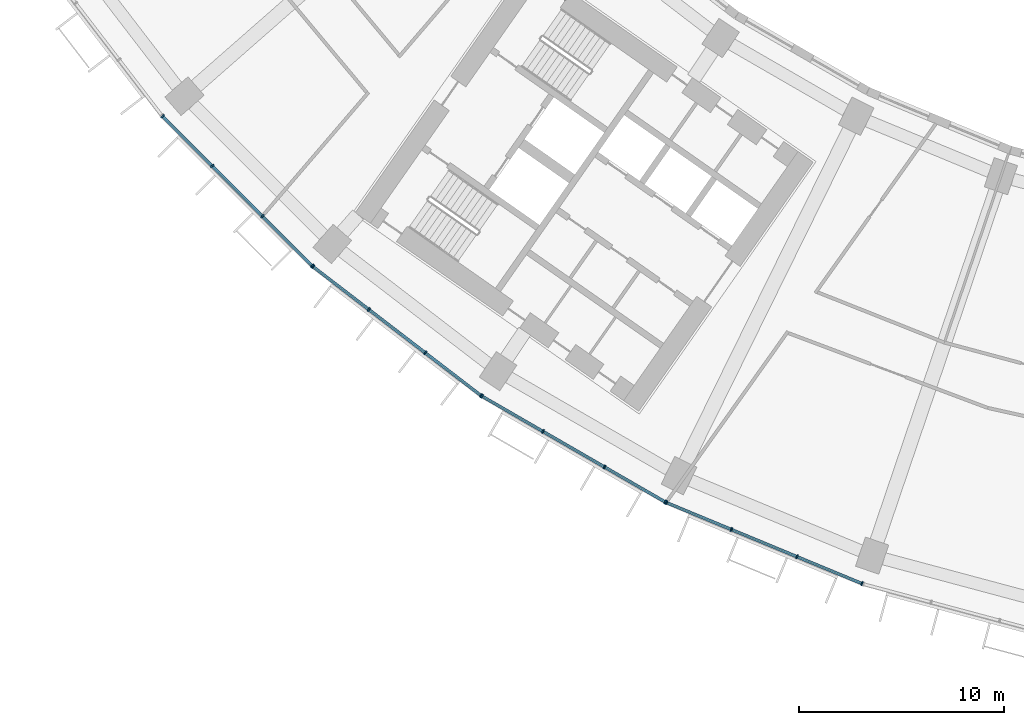
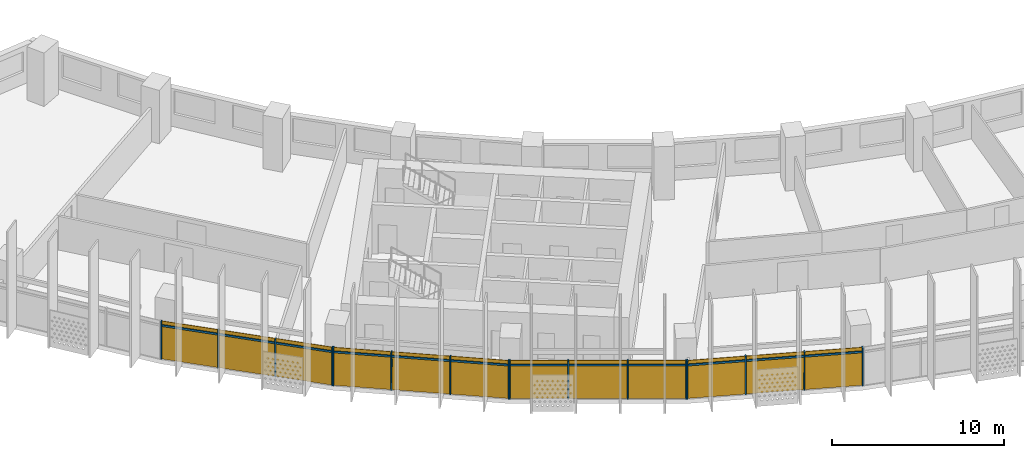
# One storey, part 18 of 30: 28 members, 4 curtain walls.
"""IFC4 building model written with IfcOpenShell, lengths in metres."""

import ifcopenshell
import ifcopenshell.guid

model = None  # the IFC model being written
_history = None  # IfcOwnerHistory: only IFC2X3 demands one
_inside = {}  # id of a spatial element -> (the spatial element, [elements in it])
_under = {}  # id of a project, library or spatial element -> (it, [spatial elements below it])
_declared = {}  # id of a project -> (the project, [libraries it declares])
_typed = {}  # id of a type object -> (the type object, [elements of that type])
_made_of = {}  # id of a material, layer set ... -> (it, [elements and type objects made of it])


def new_model(schema):
    """Start an empty IFC model of exactly this schema.

    Asked for "IFC4X3", IfcOpenShell would pick the latest addendum, in which some entities
    have other attributes; the version numbers below select the first issue.
    IFC2X3 requires an IfcOwnerHistory on every rooted entity: one is made here for all.
    """
    global model, _history
    if schema == "IFC4X3":
        model = ifcopenshell.file(schema_version=(4, 3, 0, 0))
    else:
        model = ifcopenshell.file(schema=schema)
    _inside.clear()
    _under.clear()
    _declared.clear()
    _typed.clear()
    _made_of.clear()
    _history = None
    if model.schema == "IFC2X3":
        org = make("IfcOrganization", Name="unknown")
        user = make(
            "IfcPersonAndOrganization",
            ThePerson=make("IfcPerson", FamilyName="unknown"),
            TheOrganization=org,
        )
        app = make(
            "IfcApplication",
            ApplicationDeveloper=org,
            Version="unknown",
            ApplicationFullName="unknown",
            ApplicationIdentifier="unknown",
        )
        _history = make(
            "IfcOwnerHistory",
            OwningUser=user,
            OwningApplication=app,
            ChangeAction="ADDED",
            CreationDate=0,
        )
    return model


def make(cls, **values):
    """One entity of the class cls with the attributes given. An attribute that is None is left unset."""
    return model.create_entity(
        cls, **{name: value for name, value in values.items() if value is not None}
    )


def rooted(cls, **values):
    """An entity with a GlobalId (a new one), such as an element, a storey or a relation."""
    return make(cls, GlobalId=ifcopenshell.guid.new(), OwnerHistory=_history, **values)


def si_unit(unit_type, name, prefix=None):
    """IfcSIUnit, for example si_unit("LENGTHUNIT", "METRE", prefix="MILLI")."""
    return make("IfcSIUnit", UnitType=unit_type, Prefix=prefix, Name=name)


def assignment(units):
    """IfcUnitAssignment: the units of a project."""
    return None if units is None else make("IfcUnitAssignment", Units=units)


def point(xyz):
    """IfcCartesianPoint."""
    return None if xyz is None else make("IfcCartesianPoint", Coordinates=xyz)


def direction(xyz):
    """IfcDirection."""
    return None if xyz is None else make("IfcDirection", DirectionRatios=xyz)


def frame(location, z_axis=None, x_axis=None):
    """IfcAxis2Placement3D, a coordinate frame: its origin and axes. An axis left out is left unset."""
    return make(
        "IfcAxis2Placement3D",
        Location=point(location),
        Axis=direction(z_axis),
        RefDirection=direction(x_axis),
    )


def frame_2d(location, x_axis=None):
    """IfcAxis2Placement2D, a coordinate frame in the plane: its origin and x axis."""
    return make(
        "IfcAxis2Placement2D", Location=point(location), RefDirection=direction(x_axis)
    )


def origin():
    """The frame at (0, 0, 0) with its axes left unset."""
    return frame((0.0, 0.0, 0.0))


def origin_2d():
    """The frame at (0, 0) in the plane with its x axis left unset."""
    return frame_2d((0.0, 0.0))


def place(relative_to, where):
    """IfcLocalPlacement: puts the frame where relative to a parent placement (None: the world)."""
    return make(
        "IfcLocalPlacement", PlacementRelTo=relative_to, RelativePlacement=where
    )


def context(
    kind, dimensions, precision=None, world=None, true_north=None, identifier=None
):
    """IfcGeometricRepresentationContext, for example the 3D "Model" context."""
    return make(
        "IfcGeometricRepresentationContext",
        ContextIdentifier=identifier,
        ContextType=kind,
        CoordinateSpaceDimension=dimensions,
        Precision=precision,
        WorldCoordinateSystem=world,
        TrueNorth=true_north,
    )


def subcontext(parent, identifier, kind, view, scale=None):
    """IfcGeometricRepresentationSubContext, for example "Body" below "Model"."""
    return make(
        "IfcGeometricRepresentationSubContext",
        ContextIdentifier=identifier,
        ContextType=kind,
        ParentContext=parent,
        TargetScale=scale,
        TargetView=view,
    )


def project(units=None, contexts=None):
    """IfcProject with its units and contexts."""
    return rooted(
        "IfcProject",
        Name="project",
        RepresentationContexts=contexts,
        UnitsInContext=assignment(units),
    )


def spatial(cls, under=None, at=None, **own):
    """A site, building, storey or space (cls), placed at a placement, below another one or the project."""
    s = rooted(cls, ObjectPlacement=at, **own)
    if under is not None:
        _under.setdefault(under.id(), (under, []))[1].append(s)
    return s


def profile(cls, at=None, kind="AREA", **sizes):
    """A parametric profile (cls). Its sizes go by their IFC names, for example OverallWidth=200.0."""
    return make(cls, ProfileType=kind, Position=at, **sizes)


def rectangle(**sizes):
    """IfcRectangleProfileDef."""
    return profile("IfcRectangleProfileDef", **sizes)


def extrude(swept, where, along, depth):
    """IfcExtrudedAreaSolid: the profile swept, set in the frame where, extruded along a direction by depth."""
    return make(
        "IfcExtrudedAreaSolid",
        SweptArea=swept,
        Position=where,
        ExtrudedDirection=direction(along),
        Depth=depth,
    )


def shape(context_of_items, identifier, shape_type, items):
    """IfcShapeRepresentation: the items that make up one representation, for example the "Body"."""
    return make(
        "IfcShapeRepresentation",
        ContextOfItems=context_of_items,
        RepresentationIdentifier=identifier,
        RepresentationType=shape_type,
        Items=items,
    )


def material(Name=None, Category=None):
    """IfcMaterial."""
    return make("IfcMaterial", Name=Name, Category=Category)


def material_profile(
    of_material, cross_section, Name=None, Category=None, Priority=None
):
    """IfcMaterialProfile: a cross section and its material."""
    return make(
        "IfcMaterialProfile",
        Name=Name,
        Material=of_material,
        Profile=cross_section,
        Priority=Priority,
        Category=Category,
    )


def profile_set(profiles, Name=None, composite=None):
    """IfcMaterialProfileSet."""
    return make(
        "IfcMaterialProfileSet",
        Name=Name,
        MaterialProfiles=profiles,
        CompositeProfile=composite,
    )


def made_of(thing, what):
    """Note that an element or type object is made of a material, layer set ...; save() writes the relation."""
    if what is not None:
        _made_of.setdefault(what.id(), (what, []))[1].append(thing)
    return thing


def type_object(cls, material=None, **own):
    """A type object (cls), such as IfcWallType, which elements share."""
    return made_of(rooted(cls, **own), material)


def element(
    cls,
    number,
    at=None,
    inside=None,
    cuts=None,
    type_object=None,
    material=None,
    context=None,
    identifier="Body",
    shape_type=None,
    held_by="IfcProductDefinitionShape",
    body=None,
    shapes=None,
    **own,
):
    """One element of the class cls, such as IfcWall. Its Tag is "e" and its number.

    at: its placement. inside: the storey or other place that contains it. cuts: it is an
    opening in that element (IfcRelVoidsElement). A single representation is given by context,
    identifier, shape_type and body (its items); several are given by shapes. held_by: the class
    of the entity that holds the representations. save() writes the other relations.
    """
    e = rooted(cls, Tag="e%d" % number, ObjectPlacement=at, **own)
    if body is not None:
        shapes = [shape(context, identifier, shape_type, body)]
    if shapes is not None:
        e.Representation = make(held_by, Representations=shapes)
    if inside is not None:
        _inside.setdefault(inside.id(), (inside, []))[1].append(e)
    if cuts is not None:
        rooted(
            "IfcRelVoidsElement", RelatingBuildingElement=cuts, RelatedOpeningElement=e
        )
    if type_object is not None:
        _typed.setdefault(type_object.id(), (type_object, []))[1].append(e)
    return made_of(e, material)


def aggregate(whole, parts):
    """IfcRelAggregates: a whole, such as a stair, and the parts it consists of."""
    return rooted("IfcRelAggregates", RelatingObject=whole, RelatedObjects=parts)


def save(model, path):
    """Write the relations noted so far, then the file.

    IfcRelAggregates (storeys below a building ...), IfcRelContainedInSpatialStructure (elements
    in a storey), IfcRelDefinesByType, IfcRelAssociatesMaterial and IfcRelDeclares: one each for
    every whole, place, type object, material and project.
    """
    for whole, parts in _under.values():
        aggregate(whole, parts)
    for where, things in _inside.values():
        rooted(
            "IfcRelContainedInSpatialStructure",
            RelatedElements=things,
            RelatingStructure=where,
        )
    for kind, things in _typed.values():
        rooted("IfcRelDefinesByType", RelatedObjects=things, RelatingType=kind)
    for what, things in _made_of.values():
        rooted("IfcRelAssociatesMaterial", RelatedObjects=things, RelatingMaterial=what)
    for by, libraries in _declared.values():
        rooted("IfcRelDeclares", RelatingContext=by, RelatedDefinitions=libraries)
    model.write(path)


model = new_model("IFC4")

# Units and contexts
model_context = context("Model", 3, precision=1e-05, world=origin(), true_north=direction((0.0, 1.0)))
body_context = subcontext(model_context, "Body", "Model", "MODEL_VIEW")
ifc_project = project(units=[si_unit("LENGTHUNIT", "METRE"), si_unit("AREAUNIT", "SQUARE_METRE"), si_unit("VOLUMEUNIT", "CUBIC_METRE"), si_unit("PLANEANGLEUNIT", "RADIAN"), si_unit("MASSUNIT", "GRAM", prefix="KILO")], contexts=[model_context])

# Member
ifc_material = material(Name="Aluminium 6063-T6 anodised", Category="aluminium")
ifc_material_profile_1 = material_profile(ifc_material, rectangle(XDim=0.199951171875, YDim=0.070068359375, at=origin_2d()))
ifc_profile_set_1 = profile_set([ifc_material_profile_1], Name="Aluminium 6063-T6 anodised")
member_type_1 = type_object("IfcMemberType", Name="Mullion 70 x 200 aluminium", PredefinedType="MULLION", material=ifc_profile_set_1)
site_placement = place(None, origin())
building_placement = place(site_placement, origin())
storey_placement = place(building_placement, frame((0.0, 0.0, 110.10009765625)))
member_1_placement = place(storey_placement, frame((-59.525390625, -52.240234375, 0.0), z_axis=(0.0, 0.0, 1.0), x_axis=(0.707106781187, 0.707106781187, 0.0)))
member_1 = element("IfcMember", 1, at=member_1_placement, type_object=member_type_1, Name="e-cw1-L24-out03/M00", PredefinedType="MULLION", context=body_context, shape_type="SweptSolid", body=[
    extrude(rectangle(XDim=0.199951171875, YDim=0.070068359375, at=origin_2d()), origin(), (0.0, 0.0, 1.0), 2.699951171875),
])

member_2_placement = place(storey_placement, frame((-57.105224609375, -54.660400390625, 0.0), z_axis=(0.0, 0.0, 1.0), x_axis=(0.707106781187, 0.707106781187, 0.0)))
member_2 = element("IfcMember", 2, at=member_2_placement, type_object=member_type_1, Name="e-cw1-L24-out03/M01", PredefinedType="MULLION", context=body_context, shape_type="SweptSolid", body=[
    extrude(rectangle(XDim=0.199951171875, YDim=0.070068359375, at=origin_2d()), origin(), (0.0, 0.0, 1.0), 2.699951171875),
])

member_3_placement = place(storey_placement, frame((-54.660400390625, -57.105224609375, 0.0), z_axis=(0.0, 0.0, 1.0), x_axis=(0.707106781187, 0.707106781187, 0.0)))
member_3 = element("IfcMember", 3, at=member_3_placement, type_object=member_type_1, Name="e-cw1-L24-out03/M02", PredefinedType="MULLION", context=body_context, shape_type="SweptSolid", body=[
    extrude(rectangle(XDim=0.199951171875, YDim=0.070068359375, at=origin_2d()), origin(), (0.0, 0.0, 1.0), 2.699951171875),
])

member_4_placement = place(storey_placement, frame((-52.240234375, -59.525390625, 0.0), z_axis=(0.0, 0.0, 1.0), x_axis=(0.707106781187, 0.707106781187, 0.0)))
member_4 = element("IfcMember", 4, at=member_4_placement, type_object=member_type_1, Name="e-cw1-L24-out03/M03", PredefinedType="MULLION", context=body_context, shape_type="SweptSolid", body=[
    extrude(rectangle(XDim=0.199951171875, YDim=0.070068359375, at=origin_2d()), origin(), (0.0, 0.0, 1.0), 2.699951171875),
])

member_5_placement = place(storey_placement, frame((-52.197509765625, -59.56298828125, 0.0), z_axis=(0.0, 0.0, 1.0), x_axis=(0.608761429009, 0.793353340291, 0.0)))
member_5 = element("IfcMember", 5, at=member_5_placement, type_object=member_type_1, Name="e-cw1-L24-out04/M00", PredefinedType="MULLION", context=body_context, shape_type="SweptSolid", body=[
    extrude(rectangle(XDim=0.199951171875, YDim=0.070068359375, at=origin_2d()), origin(), (0.0, 0.0, 1.0), 2.699951171875),
])

member_6_placement = place(storey_placement, frame((-49.482177734375, -61.646484375, 0.0), z_axis=(0.0, 0.0, 1.0), x_axis=(0.608761429009, 0.793353340291, 0.0)))
member_6 = element("IfcMember", 6, at=member_6_placement, type_object=member_type_1, Name="e-cw1-L24-out04/M01", PredefinedType="MULLION", context=body_context, shape_type="SweptSolid", body=[
    extrude(rectangle(XDim=0.199951171875, YDim=0.070068359375, at=origin_2d()), origin(), (0.0, 0.0, 1.0), 2.699951171875),
])

member_7_placement = place(storey_placement, frame((-46.739013671875, -63.751220703125, 0.0), z_axis=(0.0, 0.0, 1.0), x_axis=(0.608761429009, 0.793353340291, 0.0)))
member_7 = element("IfcMember", 7, at=member_7_placement, type_object=member_type_1, Name="e-cw1-L24-out04/M02", PredefinedType="MULLION", context=body_context, shape_type="SweptSolid", body=[
    extrude(rectangle(XDim=0.199951171875, YDim=0.070068359375, at=origin_2d()), origin(), (0.0, 0.0, 1.0), 2.699951171875),
])

member_8_placement = place(storey_placement, frame((-44.023681640625, -65.8349609375, 0.0), z_axis=(0.0, 0.0, 1.0), x_axis=(0.608761429009, 0.793353340291, 0.0)))
member_8 = element("IfcMember", 8, at=member_8_placement, type_object=member_type_1, Name="e-cw1-L24-out04/M03", PredefinedType="MULLION", context=body_context, shape_type="SweptSolid", body=[
    extrude(rectangle(XDim=0.199951171875, YDim=0.070068359375, at=origin_2d()), origin(), (0.0, 0.0, 1.0), 2.699951171875),
])

member_9_placement = place(storey_placement, frame((-43.976318359375, -65.866455078125, 0.0), z_axis=(0.0, 0.0, 1.0), x_axis=(0.5, 0.866025403784, 0.0)))
member_9 = element("IfcMember", 9, at=member_9_placement, type_object=member_type_1, Name="e-cw1-L24-out05/M00", PredefinedType="MULLION", context=body_context, shape_type="SweptSolid", body=[
    extrude(rectangle(XDim=0.199951171875, YDim=0.070068359375, at=origin_2d()), origin(), (0.0, 0.0, 1.0), 2.699951171875),
])

member_10_placement = place(storey_placement, frame((-41.01220703125, -67.577880859375, 0.0), z_axis=(0.0, 0.0, 1.0), x_axis=(0.5, 0.866025403784, 0.0)))
member_10 = element("IfcMember", 10, at=member_10_placement, type_object=member_type_1, Name="e-cw1-L24-out05/M01", PredefinedType="MULLION", context=body_context, shape_type="SweptSolid", body=[
    extrude(rectangle(XDim=0.199951171875, YDim=0.070068359375, at=origin_2d()), origin(), (0.0, 0.0, 1.0), 2.699951171875),
])

member_11_placement = place(storey_placement, frame((-38.017822265625, -69.306640625, 0.0), z_axis=(0.0, 0.0, 1.0), x_axis=(0.5, 0.866025403784, 0.0)))
member_11 = element("IfcMember", 11, at=member_11_placement, type_object=member_type_1, Name="e-cw1-L24-out05/M02", PredefinedType="MULLION", context=body_context, shape_type="SweptSolid", body=[
    extrude(rectangle(XDim=0.199951171875, YDim=0.070068359375, at=origin_2d()), origin(), (0.0, 0.0, 1.0), 2.699951171875),
])

member_12_placement = place(storey_placement, frame((-35.0537109375, -71.017822265625, 0.0), z_axis=(0.0, 0.0, 1.0), x_axis=(0.5, 0.866025403784, 0.0)))
member_12 = element("IfcMember", 12, at=member_12_placement, type_object=member_type_1, Name="e-cw1-L24-out05/M03", PredefinedType="MULLION", context=body_context, shape_type="SweptSolid", body=[
    extrude(rectangle(XDim=0.199951171875, YDim=0.070068359375, at=origin_2d()), origin(), (0.0, 0.0, 1.0), 2.699951171875),
])

member_13_placement = place(storey_placement, frame((-35.0029296875, -71.04296875, 0.0), z_axis=(0.0, 0.0, 1.0), x_axis=(0.382683432365, 0.923879532511, 0.0)))
member_13 = element("IfcMember", 13, at=member_13_placement, type_object=member_type_1, Name="e-cw1-L24-out06/M00", PredefinedType="MULLION", context=body_context, shape_type="SweptSolid", body=[
    extrude(rectangle(XDim=0.199951171875, YDim=0.070068359375, at=origin_2d()), origin(), (0.0, 0.0, 1.0), 2.699951171875),
])

member_14_placement = place(storey_placement, frame((-31.8408203125, -72.352783203125, 0.0), z_axis=(0.0, 0.0, 1.0), x_axis=(0.382683432365, 0.923879532511, 0.0)))
member_14 = element("IfcMember", 14, at=member_14_placement, type_object=member_type_1, Name="e-cw1-L24-out06/M01", PredefinedType="MULLION", context=body_context, shape_type="SweptSolid", body=[
    extrude(rectangle(XDim=0.199951171875, YDim=0.070068359375, at=origin_2d()), origin(), (0.0, 0.0, 1.0), 2.699951171875),
])

member_15_placement = place(storey_placement, frame((-28.646240234375, -73.676025390625, 0.0), z_axis=(0.0, 0.0, 1.0), x_axis=(0.382683432365, 0.923879532511, 0.0)))
member_15 = element("IfcMember", 15, at=member_15_placement, type_object=member_type_1, Name="e-cw1-L24-out06/M02", PredefinedType="MULLION", context=body_context, shape_type="SweptSolid", body=[
    extrude(rectangle(XDim=0.199951171875, YDim=0.070068359375, at=origin_2d()), origin(), (0.0, 0.0, 1.0), 2.699951171875),
])

member_16_placement = place(storey_placement, frame((-25.484130859375, -74.98583984375, 0.0), z_axis=(0.0, 0.0, 1.0), x_axis=(0.382683432365, 0.923879532511, 0.0)))
member_16 = element("IfcMember", 16, at=member_16_placement, type_object=member_type_1, Name="e-cw1-L24-out06/M03", PredefinedType="MULLION", context=body_context, shape_type="SweptSolid", body=[
    extrude(rectangle(XDim=0.199951171875, YDim=0.070068359375, at=origin_2d()), origin(), (0.0, 0.0, 1.0), 2.699951171875),
])

ifc_material_profile_2 = material_profile(ifc_material, rectangle(XDim=0.139892578125, YDim=0.1201171875, at=origin_2d()))
ifc_profile_set_2 = profile_set([ifc_material_profile_2], Name="Aluminium 6063-T6 anodised")
member_type_2 = type_object("IfcMemberType", Name="Transom 120 x 140 aluminium", PredefinedType="USERDEFINED", material=ifc_profile_set_2)
member_17_placement = place(storey_placement, frame((-59.500732421875, -52.264892578125, 2.39990234375), z_axis=(0.707106781187, -0.707106781187, 0.0), x_axis=(0.707106781187, 0.707106781187, 0.0)))
member_17 = element("IfcMember", 17, at=member_17_placement, type_object=member_type_2, Name="e-cw1-L24-out03/T00", ObjectType="TRANSOM", PredefinedType="USERDEFINED", context=body_context, shape_type="SweptSolid", body=[
    extrude(rectangle(XDim=0.139892578125, YDim=0.1201171875, at=origin_2d()), origin(), (0.0, 0.0, 1.0), 3.3525390625),
])

member_18_placement = place(storey_placement, frame((-57.08056640625, -54.68505859375, 2.39990234375), z_axis=(0.707106781187, -0.707106781187, 0.0), x_axis=(0.707106781187, 0.707106781187, 0.0)))
member_18 = element("IfcMember", 18, at=member_18_placement, type_object=member_type_2, Name="e-cw1-L24-out03/T01", ObjectType="TRANSOM", PredefinedType="USERDEFINED", context=body_context, shape_type="SweptSolid", body=[
    extrude(rectangle(XDim=0.139892578125, YDim=0.1201171875, at=origin_2d()), origin(), (0.0, 0.0, 1.0), 3.3876953125),
])

member_19_placement = place(storey_placement, frame((-54.635498046875, -57.130126953125, 2.39990234375), z_axis=(0.707106781187, -0.707106781187, 0.0), x_axis=(0.707106781187, 0.707106781187, 0.0)))
member_19 = element("IfcMember", 19, at=member_19_placement, type_object=member_type_2, Name="e-cw1-L24-out03/T02", ObjectType="TRANSOM", PredefinedType="USERDEFINED", context=body_context, shape_type="SweptSolid", body=[
    extrude(rectangle(XDim=0.139892578125, YDim=0.1201171875, at=origin_2d()), origin(), (0.0, 0.0, 1.0), 3.3525390625),
])

member_20_placement = place(storey_placement, frame((-52.169677734375, -59.584228515625, 2.39990234375), z_axis=(0.793354308621, -0.608760167055, 0.0), x_axis=(0.608760167055, 0.793354308621, 0.0)))
member_20 = element("IfcMember", 20, at=member_20_placement, type_object=member_type_2, Name="e-cw1-L24-out04/T00", ObjectType="TRANSOM", PredefinedType="USERDEFINED", context=body_context, shape_type="SweptSolid", body=[
    extrude(rectangle(XDim=0.139892578125, YDim=0.1201171875, at=origin_2d()), origin(), (0.0, 0.0, 1.0), 3.352783203125),
])

member_21_placement = place(storey_placement, frame((-49.454345703125, -61.667724609375, 2.39990234375), z_axis=(0.793344133173, -0.608773427772, 0.0), x_axis=(0.608773427772, 0.793344133173, 0.0)))
member_21 = element("IfcMember", 21, at=member_21_placement, type_object=member_type_2, Name="e-cw1-L24-out04/T01", ObjectType="TRANSOM", PredefinedType="USERDEFINED", context=body_context, shape_type="SweptSolid", body=[
    extrude(rectangle(XDim=0.139892578125, YDim=0.1201171875, at=origin_2d()), origin(), (0.0, 0.0, 1.0), 3.387451171875),
])

member_22_placement = place(storey_placement, frame((-46.711181640625, -63.772705078125, 2.39990234375), z_axis=(0.793389477316, -0.608714331426, 0.0), x_axis=(0.608714331426, 0.793389477316, 0.0)))
member_22 = element("IfcMember", 22, at=member_22_placement, type_object=member_type_2, Name="e-cw1-L24-out04/T02", ObjectType="TRANSOM", PredefinedType="USERDEFINED", context=body_context, shape_type="SweptSolid", body=[
    extrude(rectangle(XDim=0.139892578125, YDim=0.1201171875, at=origin_2d()), origin(), (0.0, 0.0, 1.0), 3.3525390625),
])

member_23_placement = place(storey_placement, frame((-43.946044921875, -65.884033203125, 2.39990234375), z_axis=(0.866020654818, -0.50000822536, 0.0), x_axis=(0.50000822536, 0.866020654818, 0.0)))
member_23 = element("IfcMember", 23, at=member_23_placement, type_object=member_type_2, Name="e-cw1-L24-out05/T00", ObjectType="TRANSOM", PredefinedType="USERDEFINED", context=body_context, shape_type="SweptSolid", body=[
    extrude(rectangle(XDim=0.139892578125, YDim=0.1201171875, at=origin_2d()), origin(), (0.0, 0.0, 1.0), 3.3525390625),
])

member_24_placement = place(storey_placement, frame((-40.98193359375, -67.59521484375, 2.39990234375), z_axis=(0.866025971257, -0.499999017107, 0.0), x_axis=(0.499999017107, 0.866025971257, 0.0)))
member_24 = element("IfcMember", 24, at=member_24_placement, type_object=member_type_2, Name="e-cw1-L24-out05/T01", ObjectType="TRANSOM", PredefinedType="USERDEFINED", context=body_context, shape_type="SweptSolid", body=[
    extrude(rectangle(XDim=0.139892578125, YDim=0.1201171875, at=origin_2d()), origin(), (0.0, 0.0, 1.0), 3.3876953125),
])

member_25_placement = place(storey_placement, frame((-37.987548828125, -69.323974609375, 2.39990234375), z_axis=(0.865989120267, -0.50006283963, 0.0), x_axis=(0.50006283963, 0.865989120267, 0.0)))
member_25 = element("IfcMember", 25, at=member_25_placement, type_object=member_type_2, Name="e-cw1-L24-out05/T02", ObjectType="TRANSOM", PredefinedType="USERDEFINED", context=body_context, shape_type="SweptSolid", body=[
    extrude(rectangle(XDim=0.139892578125, YDim=0.1201171875, at=origin_2d()), origin(), (0.0, 0.0, 1.0), 3.3525390625),
])

member_26_placement = place(storey_placement, frame((-34.970458984375, -71.056396484375, 2.39990234375), z_axis=(0.923882814237, -0.382675509483, 0.0), x_axis=(0.382675509483, 0.923882814237, 0.0)))
member_26 = element("IfcMember", 26, at=member_26_placement, type_object=member_type_2, Name="e-cw1-L24-out06/T00", ObjectType="TRANSOM", PredefinedType="USERDEFINED", context=body_context, shape_type="SweptSolid", body=[
    extrude(rectangle(XDim=0.139892578125, YDim=0.1201171875, at=origin_2d()), origin(), (0.0, 0.0, 1.0), 3.3525390625),
])

member_27_placement = place(storey_placement, frame((-31.808349609375, -72.3662109375, 2.39990234375), z_axis=(0.923874529423, -0.382695510666, 0.0), x_axis=(0.382695510666, 0.923874529423, 0.0)))
member_27 = element("IfcMember", 27, at=member_27_placement, type_object=member_type_2, Name="e-cw1-L24-out06/T01", ObjectType="TRANSOM", PredefinedType="USERDEFINED", context=body_context, shape_type="SweptSolid", body=[
    extrude(rectangle(XDim=0.139892578125, YDim=0.1201171875, at=origin_2d()), origin(), (0.0, 0.0, 1.0), 3.387451171875),
])

member_28_placement = place(storey_placement, frame((-28.614013671875, -73.689453125, 2.39990234375), z_axis=(0.923882814237, -0.382675509483, 0.0), x_axis=(0.382675509483, 0.923882814237, 0.0)))
member_28 = element("IfcMember", 28, at=member_28_placement, type_object=member_type_2, Name="e-cw1-L24-out06/T02", ObjectType="TRANSOM", PredefinedType="USERDEFINED", context=body_context, shape_type="SweptSolid", body=[
    extrude(rectangle(XDim=0.139892578125, YDim=0.1201171875, at=origin_2d()), origin(), (0.0, 0.0, 1.0), 3.3525390625),
])

# Site, building, storey
site = spatial("IfcSite", under=ifc_project, at=site_placement, CompositionType="ELEMENT")
building = spatial("IfcBuilding", under=site, at=building_placement, Name="Qamariyya Broadcast Tower", CompositionType="ELEMENT")
storey = spatial("IfcBuildingStorey", under=building, at=storey_placement, Name="L24", CompositionType="ELEMENT", Elevation=110.10009765625)

# Curtain wall
curtain_wall_type = type_object("IfcCurtainWallType", Name="Unitised curtain wall, anodised aluminium", PredefinedType="NOTDEFINED", material=ifc_material)
curtain_wall_1_placement = place(storey_placement, origin())
curtain_wall_1 = element("IfcCurtainWall", 29, at=curtain_wall_1_placement, inside=storey, type_object=curtain_wall_type, Name="e-cw1-L24-out03", PredefinedType="NOTDEFINED", context=body_context, shape_type="SweptSolid", body=[
    extrude(rectangle(XDim=3.352783203125, YDim=0.031982421875, at=origin_2d()), frame((-58.3154296875, -53.4501953125, 0.0), x_axis=(0.707106781187, -0.707106781187, 0.0)), (0.0, 0.0, 1.0), 2.340087890625),
    extrude(rectangle(XDim=3.352783203125, YDim=0.031982421875, at=origin_2d()), frame((-58.3154296875, -53.4501953125, 2.4599609375), x_axis=(0.707106781187, -0.707106781187, 0.0)), (0.0, 0.0, 1.0), 0.239990234375),
    extrude(rectangle(XDim=3.3876953125, YDim=0.031982421875, at=origin_2d()), frame((-55.8828125, -55.8828125, 0.0), x_axis=(0.707106781187, -0.707106781187, 0.0)), (0.0, 0.0, 1.0), 2.340087890625),
    extrude(rectangle(XDim=3.3876953125, YDim=0.031982421875, at=origin_2d()), frame((-55.8828125, -55.8828125, 2.4599609375), x_axis=(0.707106781187, -0.707106781187, 0.0)), (0.0, 0.0, 1.0), 0.239990234375),
    extrude(rectangle(XDim=3.352783203125, YDim=0.031982421875, at=origin_2d()), frame((-53.4501953125, -58.3154296875, 0.0), x_axis=(0.707106781187, -0.707106781187, 0.0)), (0.0, 0.0, 1.0), 2.340087890625),
    extrude(rectangle(XDim=3.352783203125, YDim=0.031982421875, at=origin_2d()), frame((-53.4501953125, -58.3154296875, 2.4599609375), x_axis=(0.707106781187, -0.707106781187, 0.0)), (0.0, 0.0, 1.0), 0.239990234375),
])

aggregate(curtain_wall_1, [member_1, member_2, member_3, member_4, member_17, member_18, member_19])

curtain_wall_2_placement = place(storey_placement, origin())
curtain_wall_2 = element("IfcCurtainWall", 30, at=curtain_wall_2_placement, inside=storey, type_object=curtain_wall_type, Name="e-cw1-L24-out04", PredefinedType="NOTDEFINED", context=body_context, shape_type="SweptSolid", body=[
    extrude(rectangle(XDim=3.352783203125, YDim=0.031982421875, at=origin_2d()), frame((-50.83984375, -60.6044921875, 0.0), x_axis=(0.793354000839, -0.608760568165, 0.0)), (0.0, 0.0, 1.0), 2.340087890625),
    extrude(rectangle(XDim=3.352783203125, YDim=0.031982421875, at=origin_2d()), frame((-50.83984375, -60.6044921875, 2.4599609375), x_axis=(0.793354000839, -0.608760568165, 0.0)), (0.0, 0.0, 1.0), 0.239990234375),
    extrude(rectangle(XDim=3.3876953125, YDim=0.031982421875, at=origin_2d()), frame((-48.110595703125, -62.69873046875, 0.0), x_axis=(0.793354000839, -0.608760568165, 0.0)), (0.0, 0.0, 1.0), 2.340087890625),
    extrude(rectangle(XDim=3.3876953125, YDim=0.031982421875, at=origin_2d()), frame((-48.110595703125, -62.69873046875, 2.4599609375), x_axis=(0.793354000839, -0.608760568165, 0.0)), (0.0, 0.0, 1.0), 0.239990234375),
    extrude(rectangle(XDim=3.352783203125, YDim=0.031982421875, at=origin_2d()), frame((-45.38134765625, -64.793212890625, 0.0), x_axis=(0.793354000839, -0.608760568165, 0.0)), (0.0, 0.0, 1.0), 2.340087890625),
    extrude(rectangle(XDim=3.352783203125, YDim=0.031982421875, at=origin_2d()), frame((-45.38134765625, -64.793212890625, 2.4599609375), x_axis=(0.793354000839, -0.608760568165, 0.0)), (0.0, 0.0, 1.0), 0.239990234375),
])

aggregate(curtain_wall_2, [member_5, member_6, member_7, member_8, member_20, member_21, member_22])

curtain_wall_3_placement = place(storey_placement, origin())
curtain_wall_3 = element("IfcCurtainWall", 31, at=curtain_wall_3_placement, inside=storey, type_object=curtain_wall_type, Name="e-cw1-L24-out05", PredefinedType="NOTDEFINED", context=body_context, shape_type="SweptSolid", body=[
    extrude(rectangle(XDim=3.352783203125, YDim=0.031982421875, at=origin_2d()), frame((-42.494384765625, -66.72216796875, 0.0), x_axis=(0.866027243369, -0.499996813733, 0.0)), (0.0, 0.0, 1.0), 2.340087890625),
    extrude(rectangle(XDim=3.352783203125, YDim=0.031982421875, at=origin_2d()), frame((-42.494384765625, -66.72216796875, 2.4599609375), x_axis=(0.866027243369, -0.499996813733, 0.0)), (0.0, 0.0, 1.0), 0.239990234375),
    extrude(rectangle(XDim=3.3876953125, YDim=0.031982421875, at=origin_2d()), frame((-39.51513671875, -68.442138671875, 0.0), x_axis=(0.866027243369, -0.499996813733, 0.0)), (0.0, 0.0, 1.0), 2.340087890625),
    extrude(rectangle(XDim=3.3876953125, YDim=0.031982421875, at=origin_2d()), frame((-39.51513671875, -68.442138671875, 2.4599609375), x_axis=(0.866027243369, -0.499996813733, 0.0)), (0.0, 0.0, 1.0), 0.239990234375),
    extrude(rectangle(XDim=3.352783203125, YDim=0.031982421875, at=origin_2d()), frame((-36.535888671875, -70.162109375, 0.0), x_axis=(0.866027243369, -0.499996813733, 0.0)), (0.0, 0.0, 1.0), 2.340087890625),
    extrude(rectangle(XDim=3.352783203125, YDim=0.031982421875, at=origin_2d()), frame((-36.535888671875, -70.162109375, 2.4599609375), x_axis=(0.866027243369, -0.499996813733, 0.0)), (0.0, 0.0, 1.0), 0.239990234375),
])

aggregate(curtain_wall_3, [member_9, member_10, member_11, member_12, member_23, member_24, member_25])

curtain_wall_4_placement = place(storey_placement, origin())
curtain_wall_4 = element("IfcCurtainWall", 32, at=curtain_wall_4_placement, inside=storey, type_object=curtain_wall_type, Name="e-cw1-L24-out06", PredefinedType="NOTDEFINED", context=body_context, shape_type="SweptSolid", body=[
    extrude(rectangle(XDim=3.3525390625, YDim=0.031982421875, at=origin_2d()), frame((-33.421875, -71.69775390625, 0.0), x_axis=(0.923872250857, -0.382701011361, 0.0)), (0.0, 0.0, 1.0), 2.340087890625),
    extrude(rectangle(XDim=3.3525390625, YDim=0.031982421875, at=origin_2d()), frame((-33.421875, -71.69775390625, 2.4599609375), x_axis=(0.923872250857, -0.382701011361, 0.0)), (0.0, 0.0, 1.0), 0.239990234375),
    extrude(rectangle(XDim=3.3876953125, YDim=0.031982421875, at=origin_2d()), frame((-30.24365234375, -73.014404296875, 0.0), x_axis=(0.923872250857, -0.382701011361, 0.0)), (0.0, 0.0, 1.0), 2.340087890625),
    extrude(rectangle(XDim=3.3876953125, YDim=0.031982421875, at=origin_2d()), frame((-30.24365234375, -73.014404296875, 2.4599609375), x_axis=(0.923872250857, -0.382701011361, 0.0)), (0.0, 0.0, 1.0), 0.239990234375),
    extrude(rectangle(XDim=3.3525390625, YDim=0.031982421875, at=origin_2d()), frame((-27.065185546875, -74.3310546875, 0.0), x_axis=(0.923872250857, -0.382701011361, 0.0)), (0.0, 0.0, 1.0), 2.340087890625),
    extrude(rectangle(XDim=3.3525390625, YDim=0.031982421875, at=origin_2d()), frame((-27.065185546875, -74.3310546875, 2.4599609375), x_axis=(0.923872250857, -0.382701011361, 0.0)), (0.0, 0.0, 1.0), 0.239990234375),
])

aggregate(curtain_wall_4, [member_13, member_14, member_15, member_16, member_26, member_27, member_28])

save(model, "model.ifc")
